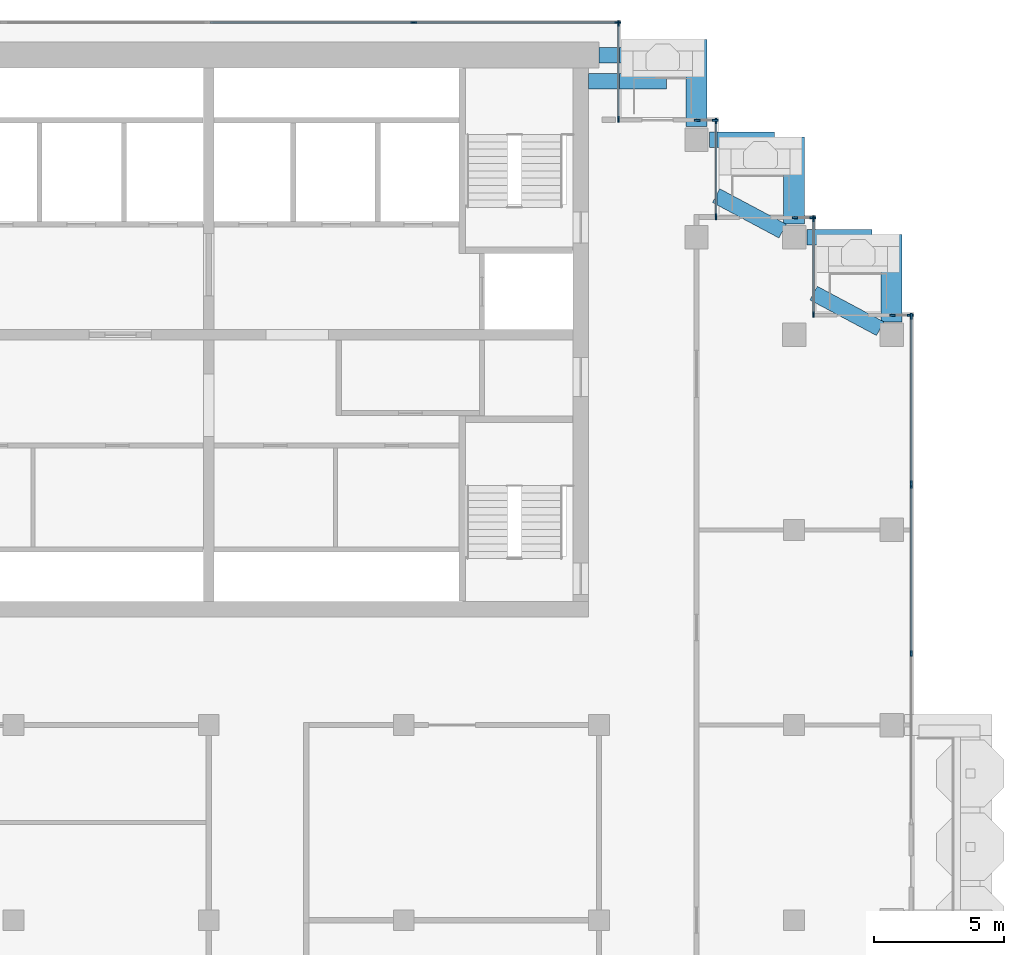
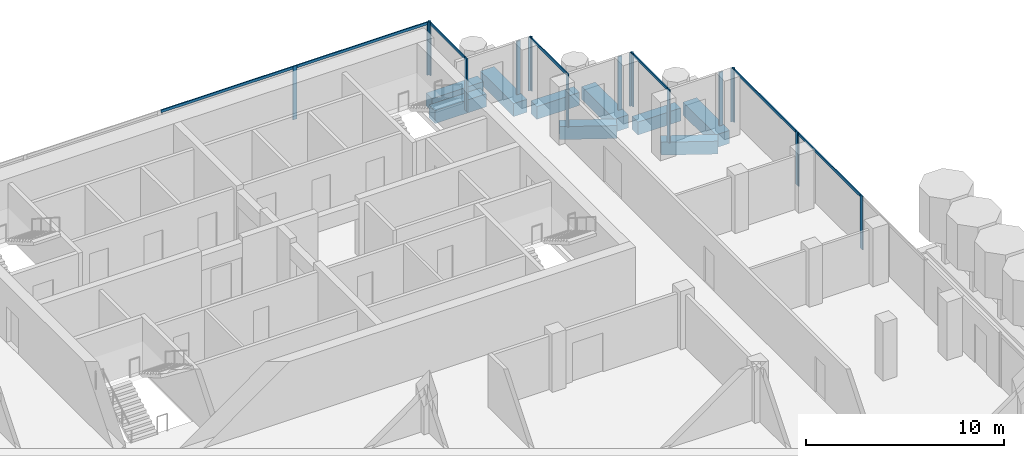
# One storey, part 6 of 18: 25 members, 9 beams, 9 elements without a shape of their own.
"""IFC4 building model written with IfcOpenShell, lengths in metres."""

from ifc_helpers import new_model, si_unit, direction, frame, origin, origin_2d, place, context, subcontext, project, spatial, rectangle, extrude, material, material_profile, profile_set, type_object, element, aggregate, save


model = new_model("IFC4")

# Units and contexts
model_context = context("Model", 3, precision=1e-05, world=origin(), true_north=direction((0.0, 1.0)))
body_context = subcontext(model_context, "Body", "Model", "MODEL_VIEW")
ifc_project = project(units=[si_unit("LENGTHUNIT", "METRE"), si_unit("AREAUNIT", "SQUARE_METRE"), si_unit("VOLUMEUNIT", "CUBIC_METRE"), si_unit("PLANEANGLEUNIT", "RADIAN"), si_unit("MASSUNIT", "GRAM", prefix="KILO")], contexts=[model_context])

# Site, building, storey
site_placement = place(None, origin())
site = spatial("IfcSite", under=ifc_project, at=site_placement, CompositionType="ELEMENT")
building_placement = place(site_placement, origin())
building = spatial("IfcBuilding", under=site, at=building_placement, Name="Pilkhan Gate Tower", CompositionType="ELEMENT")
storey_placement = place(building_placement, frame((0.0, 0.0, 228.300048828125)))
storey = spatial("IfcBuildingStorey", under=building, at=storey_placement, Name="L59", CompositionType="ELEMENT", Elevation=228.300048828125)

# Beams
ifc_material_1 = material(Name="Concrete C50/60", Category="concrete")
ifc_material_profile_1 = material_profile(ifc_material_1, rectangle(XDim=0.60009765625, YDim=0.800048828125, at=origin_2d()), Name="RC 600x800")
ifc_profile_set_1 = profile_set([ifc_material_profile_1], Name="Concrete C50/60")
beam_type_1 = type_object("IfcBeamType", Name="Cantilever beam CB1 RC 600x800 C50/60", PredefinedType="BEAM", material=ifc_profile_set_1)
for number, where, z_axis, x_axis, name in (
    (1, (90.0, 93.25, -0.699951171875), (1.0, 0.0, 0.0), (0.0, 1.0, 0.0), "Balcony beam NE.2 L59"),
    (2, (89.60009765625, 92.25, -0.699951171875), (1.0, 0.0, 0.0), (0.0, 1.0, 0.0), "Balcony beam NE.3 L59"),
):
    element("IfcBeam", number, at=place(storey_placement, frame(where, z_axis=z_axis, x_axis=x_axis)), inside=storey, type_object=beam_type_1, Name=name, PredefinedType="BEAM", context=body_context, shape_type="SweptSolid", body=[
        extrude(rectangle(XDim=0.60009765625, YDim=0.800048828125, at=origin_2d()), origin(), (0.0, 0.0, 1.0), 3.0),
    ])
beam_1_placement = place(storey_placement, frame((94.25, 90.0, -0.699951171875), z_axis=(1.0, 0.0, 0.0), x_axis=(0.0, 1.0, 0.0)))
element("IfcBeam", 3, at=beam_1_placement, inside=storey, type_object=beam_type_1, Name="Balcony beam NE1.2 L59", PredefinedType="BEAM", context=body_context, shape_type="SweptSolid", body=[
    extrude(rectangle(XDim=0.60009765625, YDim=0.800048828125, at=origin_2d()), origin(), (0.0, 0.0, 1.0), 2.5),
])
beam_2_placement = place(storey_placement, frame((97.058837890625, 86.4853515625, -0.699951171875), z_axis=(-0.882348280344, 0.470596974251, 0.0), x_axis=(-0.470596974251, -0.882348280344, 0.0)))
element("IfcBeam", 4, at=beam_2_placement, inside=storey, type_object=beam_type_1, Name="Balcony beam NE1.3 L59", PredefinedType="BEAM", context=body_context, shape_type="SweptSolid", body=[
    extrude(rectangle(XDim=0.60009765625, YDim=0.800048828125, at=origin_2d()), origin(), (0.0, 0.0, 1.0), 2.900146484375),
])
beam_3_placement = place(storey_placement, frame((98.0, 86.25, -0.699951171875), z_axis=(1.0, 0.0, 0.0), x_axis=(0.0, 1.0, 0.0)))
element("IfcBeam", 5, at=beam_3_placement, inside=storey, type_object=beam_type_1, Name="Balcony beam NE2.2 L59", PredefinedType="BEAM", context=body_context, shape_type="SweptSolid", body=[
    extrude(rectangle(XDim=0.60009765625, YDim=0.800048828125, at=origin_2d()), origin(), (0.0, 0.0, 1.0), 2.5),
])
beam_4_placement = place(storey_placement, frame((100.808837890625, 82.7353515625, -0.699951171875), z_axis=(-0.882348280344, 0.470596974251, 0.0), x_axis=(-0.470596974251, -0.882348280344, 0.0)))
element("IfcBeam", 6, at=beam_4_placement, inside=storey, type_object=beam_type_1, Name="Balcony beam NE2.3 L59", PredefinedType="BEAM", context=body_context, shape_type="SweptSolid", body=[
    extrude(rectangle(XDim=0.60009765625, YDim=0.800048828125, at=origin_2d()), origin(), (0.0, 0.0, 1.0), 2.900146484375),
])
ifc_material_profile_2 = material_profile(ifc_material_1, rectangle(XDim=0.800048828125, YDim=0.800048828125, at=origin_2d()), Name="RC 800x800")
ifc_profile_set_2 = profile_set([ifc_material_profile_2], Name="Concrete C50/60")
beam_type_2 = type_object("IfcBeamType", Name="Cantilever beam CB2 RC 800x800 C50/60", PredefinedType="BEAM", material=ifc_profile_set_2)
for number, where, z_axis, x_axis, name in (
    (7, (93.75, 90.5, -0.699951171875), (0.0, 1.0, 0.0), (-1.0, 0.0, 0.0), "Balcony beam NE.1 L59"),
    (8, (97.5, 86.75, -0.699951171875), (0.0, 1.0, 0.0), (-1.0, 0.0, 0.0), "Balcony beam NE1.1 L59"),
    (9, (101.25, 83.0, -0.699951171875), (0.0, 1.0, 0.0), (-1.0, 0.0, 0.0), "Balcony beam NE2.1 L59"),
):
    element("IfcBeam", number, at=place(storey_placement, frame(where, z_axis=z_axis, x_axis=x_axis)), inside=storey, type_object=beam_type_2, Name=name, PredefinedType="BEAM", context=body_context, shape_type="SweptSolid", body=[
        extrude(rectangle(XDim=0.800048828125, YDim=0.800048828125, at=origin_2d()), origin(), (0.0, 0.0, 1.0), 3.35009765625),
    ])

# Curtain wall, members
ifc_material_2 = material(Name="Pale anodised aluminium, clear low-iron double glazing", Category="aluminium")
curtain_wall_type = type_object("IfcCurtainWallType", Name="Office unitised curtain wall CW-O2", PredefinedType="USERDEFINED", material=ifc_material_2)
curtain_wall_1_placement = place(storey_placement, origin())
curtain_wall_1 = element("IfcCurtainWall", 10, at=curtain_wall_1_placement, inside=storey, type_object=curtain_wall_type, Name="Office unitised curtain wall CW-O2 L59 E", ObjectType="UNITISED CURTAIN WALL", PredefinedType="USERDEFINED")
ifc_material_3 = material(Name="Pale anodised aluminium", Category="aluminium")
ifc_material_profile_3 = material_profile(ifc_material_3, rectangle(XDim=0.06494140625, YDim=0.22509765625, at=origin_2d()), Name="Mullion 225x65")
ifc_profile_set_3 = profile_set([ifc_material_profile_3], Name="Pale anodised aluminium")
member_type_1 = type_object("IfcMemberType", Name="Mullion CW-O2 225x65", PredefinedType="MULLION", material=ifc_profile_set_3)
member_1_placement = place(storey_placement, frame((102.0, 70.25, 0.0), z_axis=(0.0, 0.0, 1.0), x_axis=(-1.0, 0.0, 0.0)))
member_1 = element("IfcMember", 11, at=member_1_placement, type_object=member_type_1, Name="CW-O2 mullion 2", PredefinedType="MULLION", context=body_context, shape_type="SweptSolid", body=[
    extrude(rectangle(XDim=0.06494140625, YDim=0.22509765625, at=origin_2d()), origin(), (0.0, 0.0, 1.0), 3.300048828125),
])
member_2_placement = place(storey_placement, frame((102.0, 76.717529296875, 0.0), z_axis=(0.0, 0.0, 1.0), x_axis=(-1.0, 0.0, 0.0)))
member_2 = element("IfcMember", 12, at=member_2_placement, type_object=member_type_1, Name="CW-O2 mullion 3", PredefinedType="MULLION", context=body_context, shape_type="SweptSolid", body=[
    extrude(rectangle(XDim=0.06494140625, YDim=0.22509765625, at=origin_2d()), origin(), (0.0, 0.0, 1.0), 3.300048828125),
])

curtain_wall_2_placement = place(storey_placement, origin())
curtain_wall_2 = element("IfcCurtainWall", 13, at=curtain_wall_2_placement, inside=storey, type_object=curtain_wall_type, Name="Office unitised curtain wall CW-O2 L59 E", ObjectType="UNITISED CURTAIN WALL", PredefinedType="USERDEFINED")
member_3_placement = place(storey_placement, frame((102.0, 76.782470703125, 0.0), z_axis=(0.0, 0.0, 1.0), x_axis=(-1.0, 0.0, 0.0)))
member_3 = element("IfcMember", 14, at=member_3_placement, type_object=member_type_1, Name="CW-O2 mullion 1", PredefinedType="MULLION", context=body_context, shape_type="SweptSolid", body=[
    extrude(rectangle(XDim=0.06494140625, YDim=0.22509765625, at=origin_2d()), origin(), (0.0, 0.0, 1.0), 3.300048828125),
])
member_4_placement = place(storey_placement, frame((102.0, 83.217529296875, 0.0), z_axis=(0.0, 0.0, 1.0), x_axis=(-1.0, 0.0, 0.0)))
member_4 = element("IfcMember", 15, at=member_4_placement, type_object=member_type_1, Name="CW-O2 mullion 2", PredefinedType="MULLION", context=body_context, shape_type="SweptSolid", body=[
    extrude(rectangle(XDim=0.06494140625, YDim=0.22509765625, at=origin_2d()), origin(), (0.0, 0.0, 1.0), 3.300048828125),
])

curtain_wall_3_placement = place(storey_placement, origin())
curtain_wall_3 = element("IfcCurtainWall", 16, at=curtain_wall_3_placement, inside=storey, type_object=curtain_wall_type, Name="Office unitised curtain wall CW-O2 L59 N", ObjectType="UNITISED CURTAIN WALL", PredefinedType="USERDEFINED")
member_5_placement = place(storey_placement, frame((101.282470703125, 83.25, 0.0), z_axis=(0.0, 0.0, 1.0), x_axis=(0.0, 1.0, 0.0)))
member_5 = element("IfcMember", 17, at=member_5_placement, type_object=member_type_1, Name="CW-O2 mullion 1", PredefinedType="MULLION", context=body_context, shape_type="SweptSolid", body=[
    extrude(rectangle(XDim=0.06494140625, YDim=0.22509765625, at=origin_2d()), origin(), (0.0, 0.0, 1.0), 3.300048828125),
])
member_6_placement = place(storey_placement, frame((101.967529296875, 83.25, 0.0), z_axis=(0.0, 0.0, 1.0), x_axis=(0.0, 1.0, 0.0)))
member_6 = element("IfcMember", 18, at=member_6_placement, type_object=member_type_1, Name="CW-O2 mullion 2", PredefinedType="MULLION", context=body_context, shape_type="SweptSolid", body=[
    extrude(rectangle(XDim=0.06494140625, YDim=0.22509765625, at=origin_2d()), origin(), (0.0, 0.0, 1.0), 3.300048828125),
])
aggregate(curtain_wall_3, [member_5, member_6])

curtain_wall_4_placement = place(storey_placement, origin())
curtain_wall_4 = element("IfcCurtainWall", 19, at=curtain_wall_4_placement, inside=storey, type_object=curtain_wall_type, Name="Office unitised curtain wall CW-O2 L59 E", ObjectType="UNITISED CURTAIN WALL", PredefinedType="USERDEFINED")
member_7_placement = place(storey_placement, frame((98.25, 83.282470703125, 0.0), z_axis=(0.0, 0.0, 1.0), x_axis=(-1.0, 0.0, 0.0)))
member_7 = element("IfcMember", 20, at=member_7_placement, type_object=member_type_1, Name="CW-O2 mullion 1", PredefinedType="MULLION", context=body_context, shape_type="SweptSolid", body=[
    extrude(rectangle(XDim=0.06494140625, YDim=0.22509765625, at=origin_2d()), origin(), (0.0, 0.0, 1.0), 3.300048828125),
])
member_8_placement = place(storey_placement, frame((98.25, 86.967529296875, 0.0), z_axis=(0.0, 0.0, 1.0), x_axis=(-1.0, 0.0, 0.0)))
member_8 = element("IfcMember", 21, at=member_8_placement, type_object=member_type_1, Name="CW-O2 mullion 2", PredefinedType="MULLION", context=body_context, shape_type="SweptSolid", body=[
    extrude(rectangle(XDim=0.06494140625, YDim=0.22509765625, at=origin_2d()), origin(), (0.0, 0.0, 1.0), 3.300048828125),
])

curtain_wall_5_placement = place(storey_placement, origin())
curtain_wall_5 = element("IfcCurtainWall", 22, at=curtain_wall_5_placement, inside=storey, type_object=curtain_wall_type, Name="Office unitised curtain wall CW-O2 L59 N", ObjectType="UNITISED CURTAIN WALL", PredefinedType="USERDEFINED")
member_9_placement = place(storey_placement, frame((97.532470703125, 87.0, 0.0), z_axis=(0.0, 0.0, 1.0), x_axis=(0.0, 1.0, 0.0)))
member_9 = element("IfcMember", 23, at=member_9_placement, type_object=member_type_1, Name="CW-O2 mullion 1", PredefinedType="MULLION", context=body_context, shape_type="SweptSolid", body=[
    extrude(rectangle(XDim=0.06494140625, YDim=0.22509765625, at=origin_2d()), origin(), (0.0, 0.0, 1.0), 3.300048828125),
])
member_10_placement = place(storey_placement, frame((98.217529296875, 87.0, 0.0), z_axis=(0.0, 0.0, 1.0), x_axis=(0.0, 1.0, 0.0)))
member_10 = element("IfcMember", 24, at=member_10_placement, type_object=member_type_1, Name="CW-O2 mullion 2", PredefinedType="MULLION", context=body_context, shape_type="SweptSolid", body=[
    extrude(rectangle(XDim=0.06494140625, YDim=0.22509765625, at=origin_2d()), origin(), (0.0, 0.0, 1.0), 3.300048828125),
])
aggregate(curtain_wall_5, [member_9, member_10])

curtain_wall_6_placement = place(storey_placement, origin())
curtain_wall_6 = element("IfcCurtainWall", 25, at=curtain_wall_6_placement, inside=storey, type_object=curtain_wall_type, Name="Office unitised curtain wall CW-O2 L59 E", ObjectType="UNITISED CURTAIN WALL", PredefinedType="USERDEFINED")
member_11_placement = place(storey_placement, frame((94.5, 87.032470703125, 0.0), z_axis=(0.0, 0.0, 1.0), x_axis=(-1.0, 0.0, 0.0)))
member_11 = element("IfcMember", 26, at=member_11_placement, type_object=member_type_1, Name="CW-O2 mullion 1", PredefinedType="MULLION", context=body_context, shape_type="SweptSolid", body=[
    extrude(rectangle(XDim=0.06494140625, YDim=0.22509765625, at=origin_2d()), origin(), (0.0, 0.0, 1.0), 3.300048828125),
])
member_12_placement = place(storey_placement, frame((94.5, 90.717529296875, 0.0), z_axis=(0.0, 0.0, 1.0), x_axis=(-1.0, 0.0, 0.0)))
member_12 = element("IfcMember", 27, at=member_12_placement, type_object=member_type_1, Name="CW-O2 mullion 2", PredefinedType="MULLION", context=body_context, shape_type="SweptSolid", body=[
    extrude(rectangle(XDim=0.06494140625, YDim=0.22509765625, at=origin_2d()), origin(), (0.0, 0.0, 1.0), 3.300048828125),
])

curtain_wall_7_placement = place(storey_placement, origin())
curtain_wall_7 = element("IfcCurtainWall", 28, at=curtain_wall_7_placement, inside=storey, type_object=curtain_wall_type, Name="Office unitised curtain wall CW-O2 L59 N", ObjectType="UNITISED CURTAIN WALL", PredefinedType="USERDEFINED")
member_13_placement = place(storey_placement, frame((93.782470703125, 90.75, 0.0), z_axis=(0.0, 0.0, 1.0), x_axis=(0.0, 1.0, 0.0)))
member_13 = element("IfcMember", 29, at=member_13_placement, type_object=member_type_1, Name="CW-O2 mullion 1", PredefinedType="MULLION", context=body_context, shape_type="SweptSolid", body=[
    extrude(rectangle(XDim=0.06494140625, YDim=0.22509765625, at=origin_2d()), origin(), (0.0, 0.0, 1.0), 3.300048828125),
])
member_14_placement = place(storey_placement, frame((94.467529296875, 90.75, 0.0), z_axis=(0.0, 0.0, 1.0), x_axis=(0.0, 1.0, 0.0)))
member_14 = element("IfcMember", 30, at=member_14_placement, type_object=member_type_1, Name="CW-O2 mullion 2", PredefinedType="MULLION", context=body_context, shape_type="SweptSolid", body=[
    extrude(rectangle(XDim=0.06494140625, YDim=0.22509765625, at=origin_2d()), origin(), (0.0, 0.0, 1.0), 3.300048828125),
])
aggregate(curtain_wall_7, [member_13, member_14])

curtain_wall_8_placement = place(storey_placement, origin())
curtain_wall_8 = element("IfcCurtainWall", 31, at=curtain_wall_8_placement, inside=storey, type_object=curtain_wall_type, Name="Office unitised curtain wall CW-O2 L59 E", ObjectType="UNITISED CURTAIN WALL", PredefinedType="USERDEFINED")
member_15_placement = place(storey_placement, frame((90.75, 90.782470703125, 0.0), z_axis=(0.0, 0.0, 1.0), x_axis=(-1.0, 0.0, 0.0)))
member_15 = element("IfcMember", 32, at=member_15_placement, type_object=member_type_1, Name="CW-O2 mullion 1", PredefinedType="MULLION", context=body_context, shape_type="SweptSolid", body=[
    extrude(rectangle(XDim=0.06494140625, YDim=0.22509765625, at=origin_2d()), origin(), (0.0, 0.0, 1.0), 3.300048828125),
])
member_16_placement = place(storey_placement, frame((90.75, 94.467529296875, 0.0), z_axis=(0.0, 0.0, 1.0), x_axis=(-1.0, 0.0, 0.0)))
member_16 = element("IfcMember", 33, at=member_16_placement, type_object=member_type_1, Name="CW-O2 mullion 2", PredefinedType="MULLION", context=body_context, shape_type="SweptSolid", body=[
    extrude(rectangle(XDim=0.06494140625, YDim=0.22509765625, at=origin_2d()), origin(), (0.0, 0.0, 1.0), 3.300048828125),
])

curtain_wall_9_placement = place(storey_placement, origin())
curtain_wall_9 = element("IfcCurtainWall", 34, at=curtain_wall_9_placement, inside=storey, type_object=curtain_wall_type, Name="Office unitised curtain wall CW-O2 L59 N", ObjectType="UNITISED CURTAIN WALL", PredefinedType="USERDEFINED")
member_17_placement = place(storey_placement, frame((82.875, 94.5, 0.0), z_axis=(0.0, 0.0, 1.0), x_axis=(0.0, 1.0, 0.0)))
member_17 = element("IfcMember", 35, at=member_17_placement, type_object=member_type_1, Name="CW-O2 mullion 2", PredefinedType="MULLION", context=body_context, shape_type="SweptSolid", body=[
    extrude(rectangle(XDim=0.06494140625, YDim=0.22509765625, at=origin_2d()), origin(), (0.0, 0.0, 1.0), 3.300048828125),
])
member_18_placement = place(storey_placement, frame((90.717529296875, 94.5, 0.0), z_axis=(0.0, 0.0, 1.0), x_axis=(0.0, 1.0, 0.0)))
member_18 = element("IfcMember", 36, at=member_18_placement, type_object=member_type_1, Name="CW-O2 mullion 3", PredefinedType="MULLION", context=body_context, shape_type="SweptSolid", body=[
    extrude(rectangle(XDim=0.06494140625, YDim=0.22509765625, at=origin_2d()), origin(), (0.0, 0.0, 1.0), 3.300048828125),
])

# Member
ifc_material_profile_4 = material_profile(ifc_material_3, rectangle(XDim=0.06494140625, YDim=0.1650390625, at=origin_2d()), Name="Transom 165x65")
ifc_profile_set_4 = profile_set([ifc_material_profile_4], Name="Pale anodised aluminium")
member_type_2 = type_object("IfcMemberType", Name="Transom CW-O2 165x65", PredefinedType="USERDEFINED", material=ifc_profile_set_4)
member_19_placement = place(storey_placement, frame((102.0, 70.282470703125, 3.217529296875), z_axis=(0.0, 1.0, 0.0), x_axis=(-1.0, 0.0, 0.0)))
member_19 = element("IfcMember", 37, at=member_19_placement, type_object=member_type_2, Name="CW-O2 transom 2", ObjectType="TRANSOM", PredefinedType="USERDEFINED", context=body_context, shape_type="SweptSolid", body=[
    extrude(rectangle(XDim=0.06494140625, YDim=0.1650390625, at=origin_2d()), origin(), (0.0, 0.0, 1.0), 6.402587890625),
])

aggregate(curtain_wall_1, [member_1, member_2, member_19])

member_20_placement = place(storey_placement, frame((102.0, 76.81494140625, 3.217529296875), z_axis=(0.0, 1.0, 0.0), x_axis=(-1.0, 0.0, 0.0)))
member_20 = element("IfcMember", 38, at=member_20_placement, type_object=member_type_2, Name="CW-O2 transom 1", ObjectType="TRANSOM", PredefinedType="USERDEFINED", context=body_context, shape_type="SweptSolid", body=[
    extrude(rectangle(XDim=0.06494140625, YDim=0.1650390625, at=origin_2d()), origin(), (0.0, 0.0, 1.0), 6.3701171875),
])

aggregate(curtain_wall_2, [member_3, member_4, member_20])

member_21_placement = place(storey_placement, frame((98.25, 83.31494140625, 3.217529296875), z_axis=(0.0, 1.0, 0.0), x_axis=(-1.0, 0.0, 0.0)))
member_21 = element("IfcMember", 39, at=member_21_placement, type_object=member_type_2, Name="CW-O2 transom 1", ObjectType="TRANSOM", PredefinedType="USERDEFINED", context=body_context, shape_type="SweptSolid", body=[
    extrude(rectangle(XDim=0.06494140625, YDim=0.1650390625, at=origin_2d()), origin(), (0.0, 0.0, 1.0), 3.6201171875),
])

aggregate(curtain_wall_4, [member_7, member_8, member_21])

member_22_placement = place(storey_placement, frame((94.5, 87.06494140625, 3.217529296875), z_axis=(0.0, 1.0, 0.0), x_axis=(-1.0, 0.0, 0.0)))
member_22 = element("IfcMember", 40, at=member_22_placement, type_object=member_type_2, Name="CW-O2 transom 1", ObjectType="TRANSOM", PredefinedType="USERDEFINED", context=body_context, shape_type="SweptSolid", body=[
    extrude(rectangle(XDim=0.06494140625, YDim=0.1650390625, at=origin_2d()), origin(), (0.0, 0.0, 1.0), 3.6201171875),
])

aggregate(curtain_wall_6, [member_11, member_12, member_22])

member_23_placement = place(storey_placement, frame((90.75, 90.81494140625, 3.217529296875), z_axis=(0.0, 1.0, 0.0), x_axis=(-1.0, 0.0, 0.0)))
member_23 = element("IfcMember", 41, at=member_23_placement, type_object=member_type_2, Name="CW-O2 transom 1", ObjectType="TRANSOM", PredefinedType="USERDEFINED", context=body_context, shape_type="SweptSolid", body=[
    extrude(rectangle(XDim=0.06494140625, YDim=0.1650390625, at=origin_2d()), origin(), (0.0, 0.0, 1.0), 3.6201171875),
])

aggregate(curtain_wall_8, [member_15, member_16, member_23])

member_24_placement = place(storey_placement, frame((75.06494140625, 94.5, 3.217529296875), z_axis=(1.0, 0.0, 0.0), x_axis=(0.0, 1.0, 0.0)))
member_24 = element("IfcMember", 42, at=member_24_placement, type_object=member_type_2, Name="CW-O2 transom 1", ObjectType="TRANSOM", PredefinedType="USERDEFINED", context=body_context, shape_type="SweptSolid", body=[
    extrude(rectangle(XDim=0.06494140625, YDim=0.1650390625, at=origin_2d()), origin(), (0.0, 0.0, 1.0), 7.777587890625),
])

member_25_placement = place(storey_placement, frame((82.907470703125, 94.5, 3.217529296875), z_axis=(1.0, 0.0, 0.0), x_axis=(0.0, 1.0, 0.0)))
member_25 = element("IfcMember", 43, at=member_25_placement, type_object=member_type_2, Name="CW-O2 transom 2", ObjectType="TRANSOM", PredefinedType="USERDEFINED", context=body_context, shape_type="SweptSolid", body=[
    extrude(rectangle(XDim=0.06494140625, YDim=0.1650390625, at=origin_2d()), origin(), (0.0, 0.0, 1.0), 7.777587890625),
])

aggregate(curtain_wall_9, [member_17, member_18, member_24, member_25])

save(model, "model.ifc")
